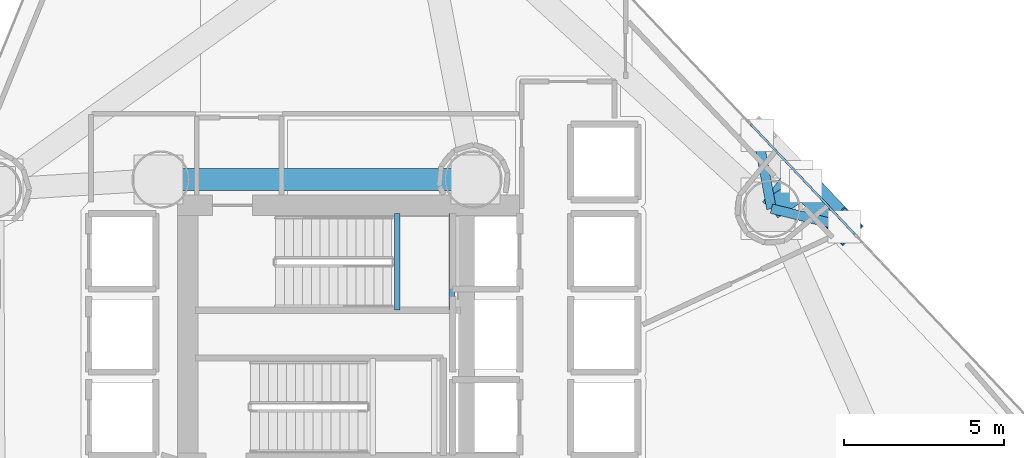
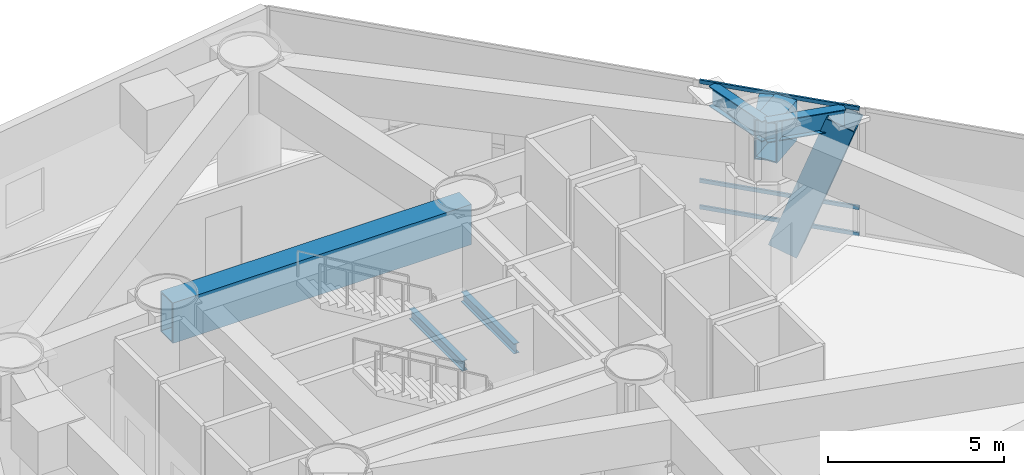
# One storey, part 9 of 22: 7 beams, 4 members, 1 element without a shape of its own.
"""IFC4 building model written with IfcOpenShell, lengths in metres."""

from ifc_helpers import new_model, si_unit, direction, frame, origin, origin_2d, place, context, subcontext, project, spatial, hollow_rectangle, i_section, extrude, material, layer, layer_set, material_profile, profile_set, type_object, element, aggregate, save


model = new_model("IFC4")

# Units and contexts
model_context = context("Model", 3, precision=1e-05, world=origin(), true_north=direction((0.0, 1.0)))
body_context = subcontext(model_context, "Body", "Model", "MODEL_VIEW")
ifc_project = project(units=[si_unit("LENGTHUNIT", "METRE"), si_unit("AREAUNIT", "SQUARE_METRE"), si_unit("VOLUMEUNIT", "CUBIC_METRE"), si_unit("PLANEANGLEUNIT", "RADIAN"), si_unit("MASSUNIT", "GRAM", prefix="KILO")], contexts=[model_context])

# Site, building, storey
site_placement = place(None, origin())
site = spatial("IfcSite", under=ifc_project, at=site_placement, CompositionType="ELEMENT")
building_placement = place(site_placement, origin())
building = spatial("IfcBuilding", under=site, at=building_placement, Name="Qianvela Tower", CompositionType="ELEMENT")
storey_placement = place(building_placement, frame((0.0, 0.0, 47.89990234375)))
storey = spatial("IfcBuildingStorey", under=building, at=storey_placement, Name="L11", CompositionType="ELEMENT", Elevation=47.89990234375)

# Beams
ifc_material_1 = material(Name="Steel Q355B", Category="steel")
ifc_material_profile_1 = material_profile(ifc_material_1, i_section(OverallWidth=0.175048828125, OverallDepth=0.35009765625, WebThickness=0.007080078125, FlangeThickness=0.010986328125, at=origin_2d()), Name="HN350x175x7x11")
ifc_profile_set_1 = profile_set([ifc_material_profile_1], Name="Steel Q355B")
beam_type_1 = type_object("IfcBeamType", Name="BM-HN350-JOIST", PredefinedType="JOIST", material=ifc_profile_set_1)
for number, where, z_axis, x_axis, name in (
    (1, (36.02001953125, 29.4599609375, 1.925048828125), (0.0, 1.0, 0.0), (-1.0, 0.0, 0.0), "L11 Stair ST-1 Landing Support Beam 1.1"),
    (2, (37.719970703125, 29.4599609375, 1.925048828125), (0.0, 1.0, 0.0), (-1.0, 0.0, 0.0), "L11 Stair ST-1 Landing Support Beam 1.2"),
):
    element("IfcBeam", number, at=place(storey_placement, frame(where, z_axis=z_axis, x_axis=x_axis)), inside=storey, type_object=beam_type_1, Name=name, PredefinedType="JOIST", context=body_context, shape_type="SweptSolid", body=[
        extrude(i_section(OverallWidth=0.175048828125, OverallDepth=0.35009765625, WebThickness=0.007080078125, FlangeThickness=0.010986328125, at=origin_2d()), origin(), (0.0, 0.0, 1.0), 3.02001953125),
    ])
ifc_material_2 = material(Name="Steel Q355B", Category="steel")
ifc_material_profile_2 = material_profile(ifc_material_2, i_section(OverallWidth=0.300048828125, OverallDepth=0.699951171875, WebThickness=0.012939453125, FlangeThickness=0.02392578125, at=origin_2d()), Name="HN700x300x13x24")
ifc_profile_set_2 = profile_set([ifc_material_profile_2], Name="Steel Q355B")
beam_type_2 = type_object("IfcBeamType", Name="BM-HN700-SPAND", PredefinedType="SPANDREL", material=ifc_profile_set_2)
beam_1_placement = place(storey_placement, frame((47.736083984375, 32.636962890625, 4.068115234375), z_axis=(0.971658493176, -0.23638902817, 0.0), x_axis=(0.23638902817, 0.971658493176, 0.0)))
element("IfcBeam", 3, at=beam_1_placement, inside=storey, type_object=beam_type_2, Name="L11 Mega-Brace Column Tie Bracket F1-1", PredefinedType="SPANDREL", context=body_context, shape_type="SweptSolid", body=[
    extrude(i_section(OverallWidth=0.300048828125, OverallDepth=0.699951171875, WebThickness=0.012939453125, FlangeThickness=0.02392578125, at=origin_2d()), origin(), (0.0, 0.0, 1.0), 2.328857421875),
])
beam_2_placement = place(storey_placement, frame((47.736083984375, 32.636962890625, 4.068115234375), z_axis=(-0.182066739819, 0.983286175155, 0.0), x_axis=(-0.983286175155, -0.182066739819, 0.0)))
element("IfcBeam", 4, at=beam_2_placement, inside=storey, type_object=beam_type_2, Name="L11 Mega-Brace Column Tie Bracket F1-2", PredefinedType="SPANDREL", context=body_context, shape_type="SweptSolid", body=[
    extrude(i_section(OverallWidth=0.300048828125, OverallDepth=0.699951171875, WebThickness=0.012939453125, FlangeThickness=0.02392578125, at=origin_2d()), origin(), (0.0, 0.0, 1.0), 2.3291015625),
])
ifc_material_3 = material(Name="Steel Q420GJC", Category="steel")
ifc_material_profile_3 = material_profile(ifc_material_3, hollow_rectangle(XDim=0.699951171875, YDim=1.39990234375, WallThickness=0.0400390625, at=origin_2d()), Name="TG-BOX-1400x700x40")
ifc_profile_set_3 = profile_set([ifc_material_profile_3], Name="Steel Q420GJC")
beam_type_3 = type_object("IfcBeamType", Name="BM-TG-RAD-1400", PredefinedType="BEAM", material=ifc_profile_set_3)
beam_3_placement = place(storey_placement, frame((28.60009765625, 33.550048828125, 3.718017578125), z_axis=(1.0, 0.0, 0.0), x_axis=(0.0, 1.0, 0.0)))
element("IfcBeam", 5, at=beam_3_placement, inside=storey, type_object=beam_type_3, Name="L11 Core Ring Transfer Girder 2", PredefinedType="BEAM", context=body_context, shape_type="SweptSolid", body=[
    extrude(hollow_rectangle(XDim=0.699951171875, YDim=1.39990234375, WallThickness=0.0400390625, at=origin_2d()), origin(), (0.0, 0.0, 1.0), 9.7998046875),
])
ifc_material_4 = material(Name="Steel Q420GJC", Category="steel")
ifc_material_profile_4 = material_profile(ifc_material_4, hollow_rectangle(XDim=0.699951171875, YDim=1.39990234375, WallThickness=0.0400390625, at=origin_2d()), Name="TG-BOX-1400x700x40")
ifc_profile_set_4 = profile_set([ifc_material_profile_4], Name="Steel Q420GJC")
beam_type_4 = type_object("IfcBeamType", Name="BM-TG-STEP-1400", PredefinedType="BEAM", material=ifc_profile_set_4)
beam_4_placement = place(storey_placement, frame((47.736083984375, 32.636962890625, 3.715087890625), z_axis=(0.833450895519, 0.552593525802, 0.0), x_axis=(-0.552593525802, 0.833450895519, 0.0)))
element("IfcBeam", 6, at=beam_4_placement, inside=storey, type_object=beam_type_4, Name="L11 Mega-Brace Zone Base Bracket F1-1", PredefinedType="BEAM", context=body_context, shape_type="SweptSolid", body=[
    extrude(hollow_rectangle(XDim=0.699951171875, YDim=1.39990234375, WallThickness=0.0400390625, at=origin_2d()), origin(), (0.0, 0.0, 1.0), 1.28466796875),
])
beam_5_placement = place(storey_placement, frame((47.736083984375, 32.636962890625, 3.715087890625), z_axis=(0.597991506201, 0.801502438244, 0.0), x_axis=(-0.801502438244, 0.597991506201, 0.0)))
element("IfcBeam", 7, at=beam_5_placement, inside=storey, type_object=beam_type_4, Name="L11 Mega-Brace Zone Base Bracket F1-2", PredefinedType="BEAM", context=body_context, shape_type="SweptSolid", body=[
    extrude(hollow_rectangle(XDim=0.699951171875, YDim=1.39990234375, WallThickness=0.0400390625, at=origin_2d()), origin(), (0.0, 0.0, 1.0), 1.284912109375),
])

# Curtain wall, members
ifc_material_5 = material(Name="Anodised Architectural Aluminium and Insulated Spandrel Panel", Category="aluminium")
ifc_layer = layer(ifc_material_5, 0.179931640625)
ifc_layer_set = layer_set([ifc_layer], Name="Anodised Architectural Aluminium and Insulated Spandrel Panel")
curtain_wall_type = type_object("IfcCurtainWallType", Name="CW-BRACEBAY", PredefinedType="USERDEFINED", material=ifc_layer_set)
curtain_wall_placement = place(storey_placement, origin())
curtain_wall = element("IfcCurtainWall", 8, at=curtain_wall_placement, inside=storey, type_object=curtain_wall_type, Name="L11 CW-BRACEBAY Curtain Wall 02B", ObjectType="CURTAIN_WALL_SYSTEM", PredefinedType="USERDEFINED")
ifc_material_6 = material(Name="Anodised Architectural Aluminium 6063-T6", Category="aluminium")
ifc_material_profile_5 = material_profile(ifc_material_6, hollow_rectangle(XDim=0.06494140625, YDim=0.1298828125, WallThickness=0.00439453125, at=origin_2d()), Name="ALU-TRAN-65x130")
ifc_profile_set_5 = profile_set([ifc_material_profile_5], Name="Anodised Architectural Aluminium 6063-T6")
member_type_1 = type_object("IfcMemberType", Name="CW-BRACEBAY-TRAN", PredefinedType="USERDEFINED", material=ifc_profile_set_5)
member_1_placement = place(storey_placement, frame((50.3427734375, 31.839599609375, 0.03271484375), z_axis=(-0.687184425942, 0.726483010636, 0.0), x_axis=(-0.726483010636, -0.687184425942, 0.0)))
member_1 = element("IfcMember", 9, at=member_1_placement, type_object=member_type_1, Name="CW-9 transom 1.1", ObjectType="TRANSOM", PredefinedType="USERDEFINED", context=body_context, shape_type="SweptSolid", body=[
    extrude(hollow_rectangle(XDim=0.06494140625, YDim=0.1298828125, WallThickness=0.00439453125, at=origin_2d()), origin(), (0.0, 0.0, 1.0), 4.739990234375),
])
member_2_placement = place(storey_placement, frame((50.3427734375, 31.839599609375, 0.9501953125), z_axis=(-0.687184425942, 0.726483010636, 0.0), x_axis=(-0.726483010636, -0.687184425942, 0.0)))
member_2 = element("IfcMember", 10, at=member_2_placement, type_object=member_type_1, Name="CW-9 transom 1.2", ObjectType="TRANSOM", PredefinedType="USERDEFINED", context=body_context, shape_type="SweptSolid", body=[
    extrude(hollow_rectangle(XDim=0.06494140625, YDim=0.1298828125, WallThickness=0.00439453125, at=origin_2d()), origin(), (0.0, 0.0, 1.0), 4.739990234375),
])
member_3_placement = place(storey_placement, frame((50.3427734375, 31.839599609375, 4.3876953125), z_axis=(-0.687184425942, 0.726483010636, 0.0), x_axis=(-0.726483010636, -0.687184425942, 0.0)))
member_3 = element("IfcMember", 11, at=member_3_placement, type_object=member_type_1, Name="CW-9 transom 1.3", ObjectType="TRANSOM", PredefinedType="USERDEFINED", context=body_context, shape_type="SweptSolid", body=[
    extrude(hollow_rectangle(XDim=0.06494140625, YDim=0.1298828125, WallThickness=0.00439453125, at=origin_2d()), origin(), (0.0, 0.0, 1.0), 4.739990234375),
])
aggregate(curtain_wall, [member_1, member_2, member_3])

# Member
ifc_material_7 = material(Name="Steel Q420GJC", Category="steel")
ifc_material_profile_6 = material_profile(ifc_material_7, hollow_rectangle(XDim=0.89990234375, YDim=0.89990234375, WallThickness=0.035888671875, at=origin_2d()), Name="MBOX-900x900x36")
ifc_profile_set_6 = profile_set([ifc_material_profile_6], Name="Steel Q420GJC")
member_type_2 = type_object("IfcMemberType", Name="MBR-MBRACE-900", PredefinedType="BRACE", material=ifc_profile_set_6)
member_4_placement = place(storey_placement, frame((48.8212890625, 33.33154296875, -0.65185546875), z_axis=(0.234538191432, -0.247957043181, 0.939951669767), x_axis=(0.726491480813, 0.687175471263, 0.0)))
element("IfcMember", 12, at=member_4_placement, inside=storey, type_object=member_type_2, Name="L11 Tier 2 Exterior Mega-Brace F1A", PredefinedType="BRACE", context=body_context, shape_type="SweptSolid", body=[
    extrude(hollow_rectangle(XDim=0.89990234375, YDim=0.89990234375, WallThickness=0.035888671875, at=origin_2d()), origin(), (0.0, 0.0, 1.0), 5.021484375),
])

save(model, "model.ifc")
